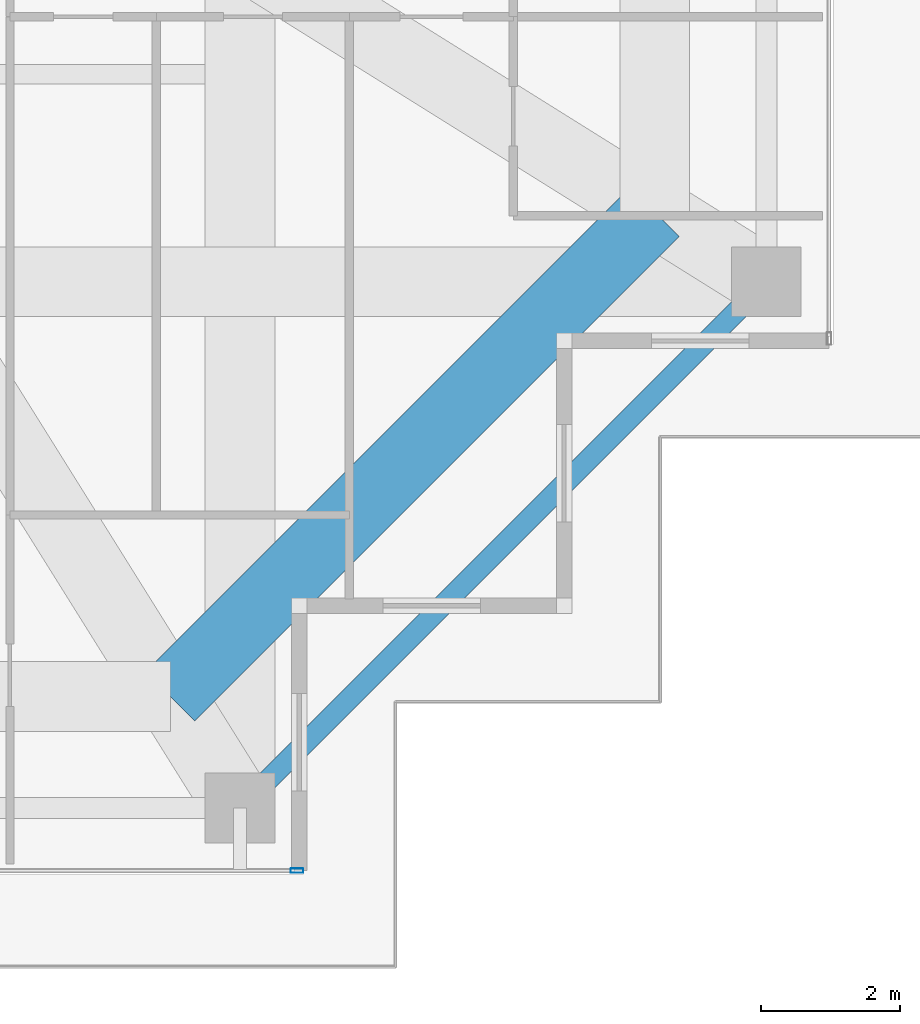
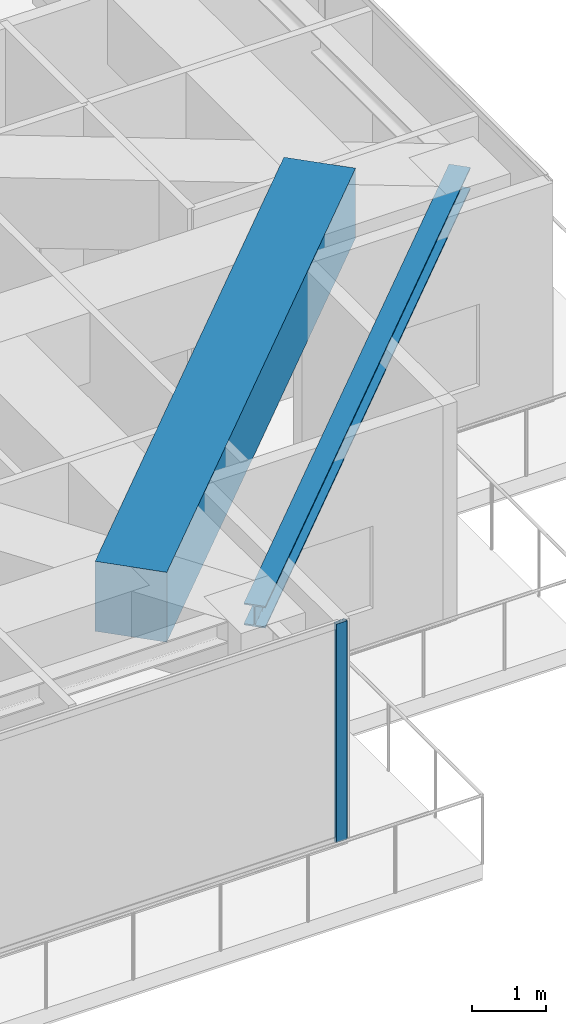
# One storey, part 15 of 40: 2 beams, 1 member, 1 element without a shape of its own.
"""IFC4 building model written with IfcOpenShell, lengths in metres."""

from ifc_helpers import new_model, si_unit, direction, frame, origin, origin_2d, place, context, subcontext, project, spatial, rectangle, hollow_rectangle, i_section, extrude, source, transform, mapped, material, layer, layer_set, material_profile, profile_set, type_object, element, aggregate, save


model = new_model("IFC4")

# Units and contexts
model_context = context("Model", 3, precision=1e-05, world=origin(), true_north=direction((0.0, 1.0)))
body_context = subcontext(model_context, "Body", "Model", "MODEL_VIEW")
ifc_project = project(units=[si_unit("LENGTHUNIT", "METRE"), si_unit("AREAUNIT", "SQUARE_METRE"), si_unit("VOLUMEUNIT", "CUBIC_METRE"), si_unit("PLANEANGLEUNIT", "RADIAN"), si_unit("MASSUNIT", "GRAM", prefix="KILO")], contexts=[model_context])

# Site, building, storey
site_placement = place(None, origin())
site = spatial("IfcSite", under=ifc_project, at=site_placement, CompositionType="ELEMENT")
building_placement = place(site_placement, origin())
building = spatial("IfcBuilding", under=site, at=building_placement, Name="Serunith Strait Residences", CompositionType="ELEMENT")
storey_placement = place(building_placement, frame((0.0, 0.0, 333.949951171875)))
storey = spatial("IfcBuildingStorey", under=building, at=storey_placement, Name="L83", CompositionType="ELEMENT", Elevation=333.949951171875)

# Beams
ifc_material_1 = material(Name="Steel S355J2", Category="steel")
ifc_material_profile_1 = material_profile(ifc_material_1, i_section(OverallWidth=0.300048828125, OverallDepth=0.360107421875, WebThickness=0.012451171875, FlangeThickness=0.0224609375, FilletRadius=0.027099609375, at=origin_2d()), Name="HEB 360")
ifc_profile_set_1 = profile_set([ifc_material_profile_1], Name="Steel S355J2")
beam_type_1 = type_object("IfcBeamType", Name="BM-HEB360", PredefinedType="BEAM", material=ifc_profile_set_1)
shared_shape_1 = source(origin(), body_context, "Body", "SweptSolid", [
    extrude(i_section(OverallWidth=0.300048828125, OverallDepth=0.360107421875, WebThickness=0.012451171875, FlangeThickness=0.0224609375, FilletRadius=0.027099609375, at=origin_2d()), origin(), (0.0, 0.0, 1.0), 10.677490234375),
])
beam_1_placement = place(storey_placement, frame((47.14990234375, 3.300048828125, 3.427001953125), z_axis=(0.707106781187, 0.707106781187, 0.0), x_axis=(-0.707106781187, 0.707106781187, 0.0)))
element("IfcBeam", 1, at=beam_1_placement, inside=storey, type_object=beam_type_1, Name="L83 Perimeter Ring Beam 04", PredefinedType="BEAM", context=body_context, shape_type="MappedRepresentation", body=[
    mapped(shared_shape_1, transform((0.0, 0.0, 0.0), scale=1.0)),
])
ifc_material_2 = material(Name="Concrete C80/95", Category="concrete")
ifc_material_profile_2 = material_profile(ifc_material_2, rectangle(XDim=1.0, YDim=1.14990234375, at=origin_2d()), Name="RC 1000x1150")
ifc_profile_set_2 = profile_set([ifc_material_profile_2], Name="Concrete C80/95")
beam_type_2 = type_object("IfcBeamType", Name="BM-XFER-1000x1150", PredefinedType="BEAM", material=ifc_profile_set_2)
shared_shape_2 = source(origin(), body_context, "Body", "SweptSolid", [
    extrude(rectangle(XDim=1.0, YDim=1.14990234375, at=origin_2d()), origin(), (0.0, 0.0, 1.0), 9.8291015625),
])
beam_2_placement = place(storey_placement, frame((46.14990234375, 4.89990234375, 3.03515625), z_axis=(0.707106781187, 0.707106781187, 0.0), x_axis=(-0.707106781187, 0.707106781187, 0.0)))
element("IfcBeam", 2, at=beam_2_placement, inside=storey, type_object=beam_type_2, Name="L83 Flare Upper Ring Transfer Girder 04", PredefinedType="BEAM", context=body_context, shape_type="MappedRepresentation", body=[
    mapped(shared_shape_2, transform((0.0, 0.0, 0.0), scale=1.0)),
])

# Curtain wall, member
ifc_material_3 = material(Name="Brushed Stainless-Silver Aluminium", Category="aluminium")
ifc_layer = layer(ifc_material_3, 0.199951171875, Name="Brushed Stainless-Silver Aluminium")
ifc_layer_set = layer_set([ifc_layer], Name="Brushed Stainless-Silver Aluminium")
curtain_wall_type = type_object("IfcCurtainWallType", Name="CW-SYS5", PredefinedType="NOTDEFINED", material=ifc_layer_set)
curtain_wall_placement = place(storey_placement, origin())
curtain_wall = element("IfcCurtainWall", 3, at=curtain_wall_placement, inside=storey, type_object=curtain_wall_type, Name="L83 S Unitised Fritted Curtain Wall", PredefinedType="NOTDEFINED")
ifc_material_profile_3 = material_profile(ifc_material_3, hollow_rectangle(XDim=0.06494140625, YDim=0.179931640625, WallThickness=0.00341796875, InnerFilletRadius=0.00537109375, OuterFilletRadius=0.0087890625, at=origin_2d()), Name="ALU 180x65x3.5")
ifc_profile_set_3 = profile_set([ifc_material_profile_3], Name="Brushed Stainless-Silver Aluminium")
member_type = type_object("IfcMemberType", Name="CW-SYS5-MULL", PredefinedType="MULLION", material=ifc_profile_set_3)
shared_shape_3 = source(origin(), body_context, "Body", "SweptSolid", [
    extrude(hollow_rectangle(XDim=0.06494140625, YDim=0.179931640625, WallThickness=0.00341796875, InnerFilletRadius=0.00537109375, OuterFilletRadius=0.0087890625, at=origin_2d()), origin(), (0.0, 0.0, 1.0), 3.594970703125),
])
member_placement = place(storey_placement, frame((47.967529296875, 2.39990234375, 0.0), z_axis=(0.0, 0.0, 1.0), x_axis=(0.0, 1.0, 0.0)))
member = element("IfcMember", 4, at=member_placement, type_object=member_type, Name="CW-5 mullion 6", PredefinedType="MULLION", context=body_context, shape_type="MappedRepresentation", body=[
    mapped(shared_shape_3, transform((0.0, 0.0, 0.0), scale=1.0)),
])
aggregate(curtain_wall, [member])

save(model, "model.ifc")
